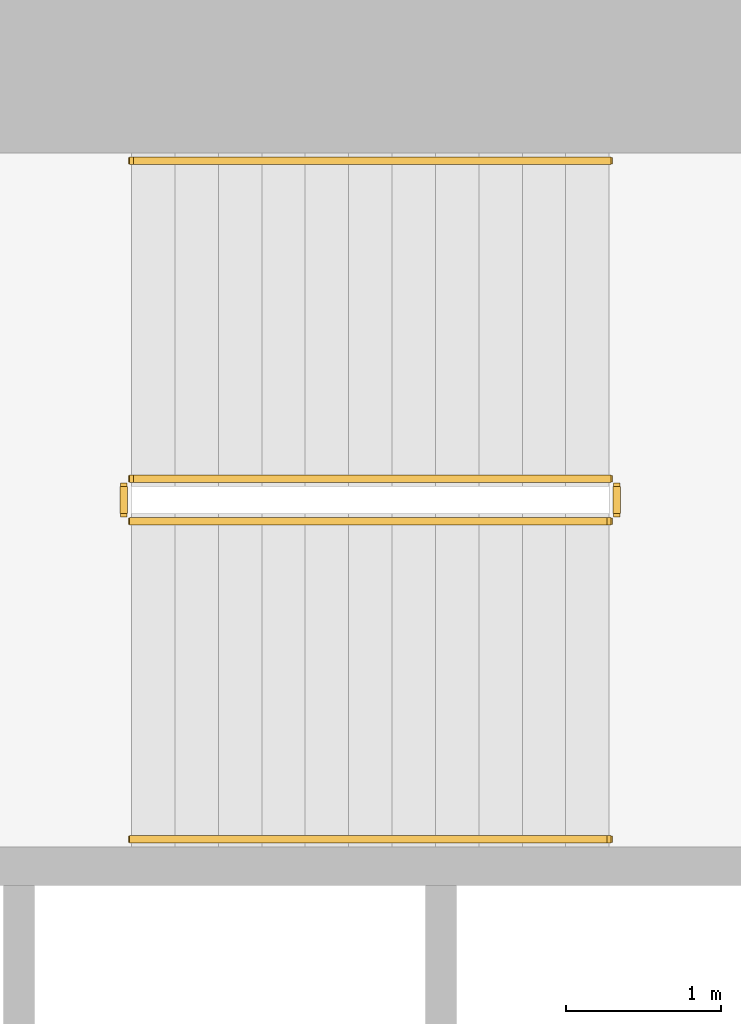
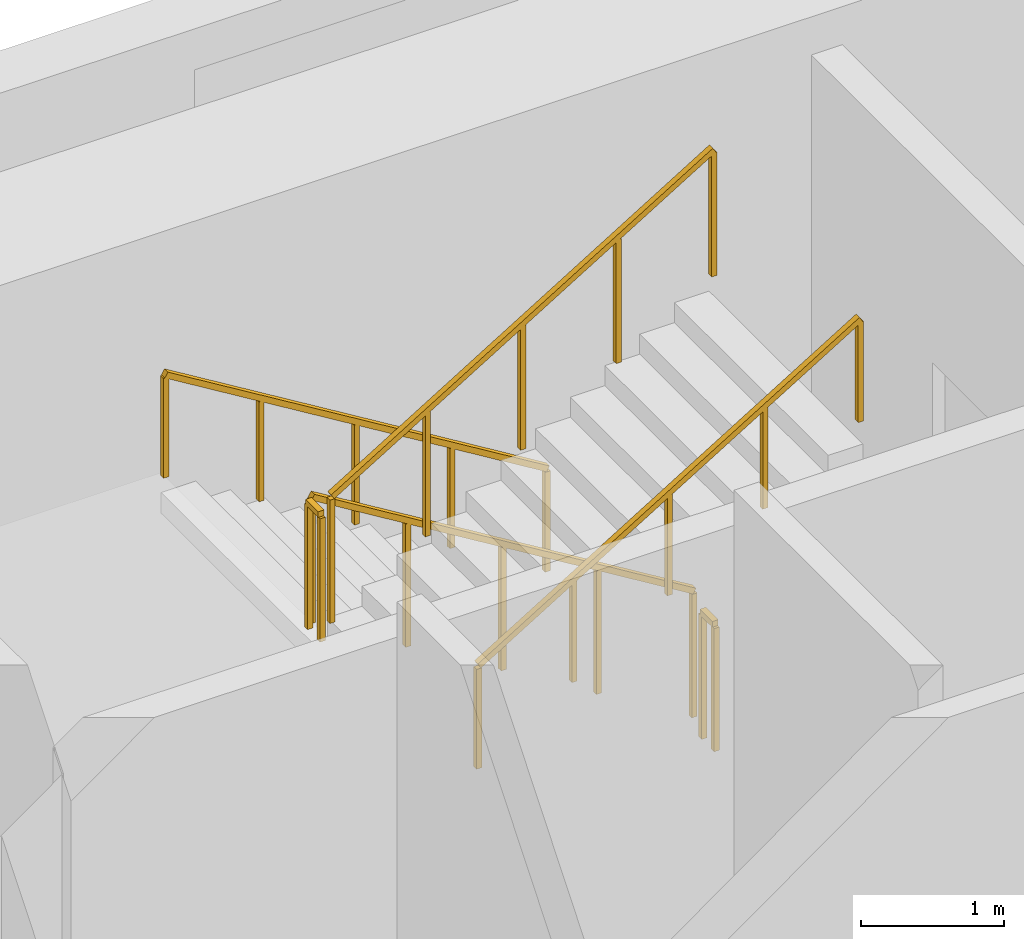
# One storey, part 13 of 14: 6 railings.
"""IFC4 building model written with IfcOpenShell, lengths in metres."""

from ifc_helpers import new_model, si_unit, direction, frame, origin, origin_2d, place, context, subcontext, project, spatial, rectangle, extrude, material, type_object, element, save


model = new_model("IFC4")

# Units and contexts
model_context = context("Model", 3, precision=1e-05, world=origin(), true_north=direction((0.0, 1.0)))
body_context = subcontext(model_context, "Body", "Model", "MODEL_VIEW")
ifc_project = project(units=[si_unit("LENGTHUNIT", "METRE"), si_unit("AREAUNIT", "SQUARE_METRE"), si_unit("VOLUMEUNIT", "CUBIC_METRE"), si_unit("PLANEANGLEUNIT", "RADIAN"), si_unit("MASSUNIT", "GRAM", prefix="KILO")], contexts=[model_context])

# Site, building, storey
site_placement = place(None, origin())
site = spatial("IfcSite", under=ifc_project, at=site_placement, CompositionType="ELEMENT")
building_placement = place(site_placement, origin())
building = spatial("IfcBuilding", under=site, at=building_placement, Name="Cypress Arch Tower", CompositionType="ELEMENT")
storey_placement = place(building_placement, frame((0.0, 0.0, 304.89990234375)))
storey = spatial("IfcBuildingStorey", under=building, at=storey_placement, Name="L69", CompositionType="ELEMENT", Elevation=304.89990234375)

# Railings
ifc_material_1 = material(Name="Black powder-coated steel square bar 48 mm", Category="steel")
railing_type_1 = type_object("IfcRailingType", Name="Stair handrail HR1", PredefinedType="HANDRAIL", material=ifc_material_1)
railing_1_placement = place(storey_placement, frame((-22.27490234375, 14.75, 0.1708984375)))
element("IfcRailing", 1, at=railing_1_placement, inside=storey, type_object=railing_type_1, Name="L69 B stair handrail 1", PredefinedType="HANDRAIL", context=body_context, shape_type="SweptSolid", body=[
    extrude(rectangle(XDim=0.048095703125, YDim=0.048095703125, at=origin_2d()), frame((0.0, 0.0, 0.8759765625), z_axis=(-0.853666305674, 0.0, 0.52082035152), x_axis=(0.0, -1.0, 0.0)), (0.0, 0.0, 1.0), 3.608154296875),
    extrude(rectangle(XDim=0.0419921875, YDim=0.0419921875, at=origin_2d()), origin(), (0.0, 0.0, 1.0), 0.851806640625),
    extrude(rectangle(XDim=0.0419921875, YDim=0.0419921875, at=origin_2d()), frame((-0.77001953125, 0.0, 0.4697265625)), (0.0, 0.0, 1.0), 0.851806640625),
    extrude(rectangle(XDim=0.0419921875, YDim=0.0419921875, at=origin_2d()), frame((-1.5400390625, 0.0, 0.939453125)), (0.0, 0.0, 1.0), 0.851806640625),
    extrude(rectangle(XDim=0.0419921875, YDim=0.0419921875, at=origin_2d()), frame((-2.31005859375, 0.0, 1.409423828125)), (0.0, 0.0, 1.0), 0.851806640625),
    extrude(rectangle(XDim=0.0419921875, YDim=0.0419921875, at=origin_2d()), frame((-3.080078125, 0.0, 1.879150390625)), (0.0, 0.0, 1.0), 0.851806640625),
])
railing_2_placement = place(storey_placement, frame((-25.35498046875, 10.375, 2.220947265625)))
element("IfcRailing", 2, at=railing_2_placement, inside=storey, type_object=railing_type_1, Name="L69 B stair handrail 2", PredefinedType="HANDRAIL", context=body_context, shape_type="SweptSolid", body=[
    extrude(rectangle(XDim=0.048095703125, YDim=0.048095703125, at=origin_2d()), frame((0.0, 0.0, 0.8759765625), z_axis=(0.853666305674, 0.0, 0.52082035152), x_axis=(0.0, 1.0, 0.0)), (0.0, 0.0, 1.0), 3.608154296875),
    extrude(rectangle(XDim=0.0419921875, YDim=0.0419921875, at=origin_2d()), origin(), (0.0, 0.0, 1.0), 0.851806640625),
    extrude(rectangle(XDim=0.0419921875, YDim=0.0419921875, at=origin_2d()), frame((0.77001953125, 0.0, 0.4697265625)), (0.0, 0.0, 1.0), 0.851806640625),
    extrude(rectangle(XDim=0.0419921875, YDim=0.0419921875, at=origin_2d()), frame((1.5400390625, 0.0, 0.939453125)), (0.0, 0.0, 1.0), 0.851806640625),
    extrude(rectangle(XDim=0.0419921875, YDim=0.0419921875, at=origin_2d()), frame((2.31005859375, 0.0, 1.409423828125)), (0.0, 0.0, 1.0), 0.851806640625),
    extrude(rectangle(XDim=0.0419921875, YDim=0.0419921875, at=origin_2d()), frame((3.080078125, 0.0, 1.879150390625)), (0.0, 0.0, 1.0), 0.851806640625),
])
ifc_material_2 = material(Name="Black powder-coated steel balusters", Category="steel")
railing_type_2 = type_object("IfcRailingType", Name="Stair well guard G1", PredefinedType="GUARDRAIL", material=ifc_material_2)
railing_3_placement = place(storey_placement, frame((-22.27490234375, 12.699951171875, 0.1708984375)))
element("IfcRailing", 3, at=railing_3_placement, inside=storey, type_object=railing_type_2, Name="L69 B stair guard 1", PredefinedType="GUARDRAIL", context=body_context, shape_type="SweptSolid", body=[
    extrude(rectangle(XDim=0.048095703125, YDim=0.048095703125, at=origin_2d()), frame((0.0, 0.0, 1.076171875), z_axis=(-0.853666305674, 0.0, 0.52082035152), x_axis=(0.0, -1.0, 0.0)), (0.0, 0.0, 1.0), 3.608154296875),
    extrude(rectangle(XDim=0.0419921875, YDim=0.0419921875, at=origin_2d()), origin(), (0.0, 0.0, 1.0), 1.052001953125),
    extrude(rectangle(XDim=0.0419921875, YDim=0.0419921875, at=origin_2d()), frame((-0.77001953125, 0.0, 0.4697265625)), (0.0, 0.0, 1.0), 1.052001953125),
    extrude(rectangle(XDim=0.0419921875, YDim=0.0419921875, at=origin_2d()), frame((-1.5400390625, 0.0, 0.939453125)), (0.0, 0.0, 1.0), 1.052001953125),
    extrude(rectangle(XDim=0.0419921875, YDim=0.0419921875, at=origin_2d()), frame((-2.31005859375, 0.0, 1.409423828125)), (0.0, 0.0, 1.0), 1.052001953125),
    extrude(rectangle(XDim=0.0419921875, YDim=0.0419921875, at=origin_2d()), frame((-3.080078125, 0.0, 1.879150390625)), (0.0, 0.0, 1.0), 1.052001953125),
])
railing_4_placement = place(storey_placement, frame((-25.405029296875, 12.64990234375, 2.050048828125)))
element("IfcRailing", 4, at=railing_4_placement, inside=storey, type_object=railing_type_2, Name="L69 B stair guard 2", PredefinedType="GUARDRAIL", context=body_context, shape_type="SweptSolid", body=[
    extrude(rectangle(XDim=0.048095703125, YDim=0.048095703125, at=origin_2d()), frame((0.0, 0.0, 1.076171875), z_axis=(0.0, -1.0, 0.0), x_axis=(1.0, 0.0, 0.0)), (0.0, 0.0, 1.0), 0.1748046875),
    extrude(rectangle(XDim=0.0419921875, YDim=0.0419921875, at=origin_2d()), origin(), (0.0, 0.0, 1.0), 1.052001953125),
    extrude(rectangle(XDim=0.0419921875, YDim=0.0419921875, at=origin_2d()), frame((0.0, -0.1748046875, 0.0)), (0.0, 0.0, 1.0), 1.052001953125),
])
railing_5_placement = place(storey_placement, frame((-25.35498046875, 12.425048828125, 2.220947265625)))
element("IfcRailing", 5, at=railing_5_placement, inside=storey, type_object=railing_type_2, Name="L69 B stair guard 3", PredefinedType="GUARDRAIL", context=body_context, shape_type="SweptSolid", body=[
    extrude(rectangle(XDim=0.048095703125, YDim=0.048095703125, at=origin_2d()), frame((0.0, 0.0, 1.076171875), z_axis=(0.853666305674, 0.0, 0.52082035152), x_axis=(0.0, 1.0, 0.0)), (0.0, 0.0, 1.0), 3.608154296875),
    extrude(rectangle(XDim=0.0419921875, YDim=0.0419921875, at=origin_2d()), origin(), (0.0, 0.0, 1.0), 1.052001953125),
    extrude(rectangle(XDim=0.0419921875, YDim=0.0419921875, at=origin_2d()), frame((0.77001953125, 0.0, 0.4697265625)), (0.0, 0.0, 1.0), 1.052001953125),
    extrude(rectangle(XDim=0.0419921875, YDim=0.0419921875, at=origin_2d()), frame((1.5400390625, 0.0, 0.939453125)), (0.0, 0.0, 1.0), 1.052001953125),
    extrude(rectangle(XDim=0.0419921875, YDim=0.0419921875, at=origin_2d()), frame((2.31005859375, 0.0, 1.409423828125)), (0.0, 0.0, 1.0), 1.052001953125),
    extrude(rectangle(XDim=0.0419921875, YDim=0.0419921875, at=origin_2d()), frame((3.080078125, 0.0, 1.879150390625)), (0.0, 0.0, 1.0), 1.052001953125),
])
railing_6_placement = place(storey_placement, frame((-22.22509765625, 12.64990234375, 0.0)))
element("IfcRailing", 6, at=railing_6_placement, inside=storey, type_object=railing_type_2, Name="L69 B stair guard 4", PredefinedType="GUARDRAIL", context=body_context, shape_type="SweptSolid", body=[
    extrude(rectangle(XDim=0.048095703125, YDim=0.048095703125, at=origin_2d()), frame((0.0, 0.0, 1.076171875), z_axis=(0.0, -1.0, 0.0), x_axis=(1.0, 0.0, 0.0)), (0.0, 0.0, 1.0), 0.1748046875),
    extrude(rectangle(XDim=0.0419921875, YDim=0.0419921875, at=origin_2d()), origin(), (0.0, 0.0, 1.0), 1.052001953125),
    extrude(rectangle(XDim=0.0419921875, YDim=0.0419921875, at=origin_2d()), frame((0.0, -0.1748046875, 0.0)), (0.0, 0.0, 1.0), 1.052001953125),
])

save(model, "model.ifc")
